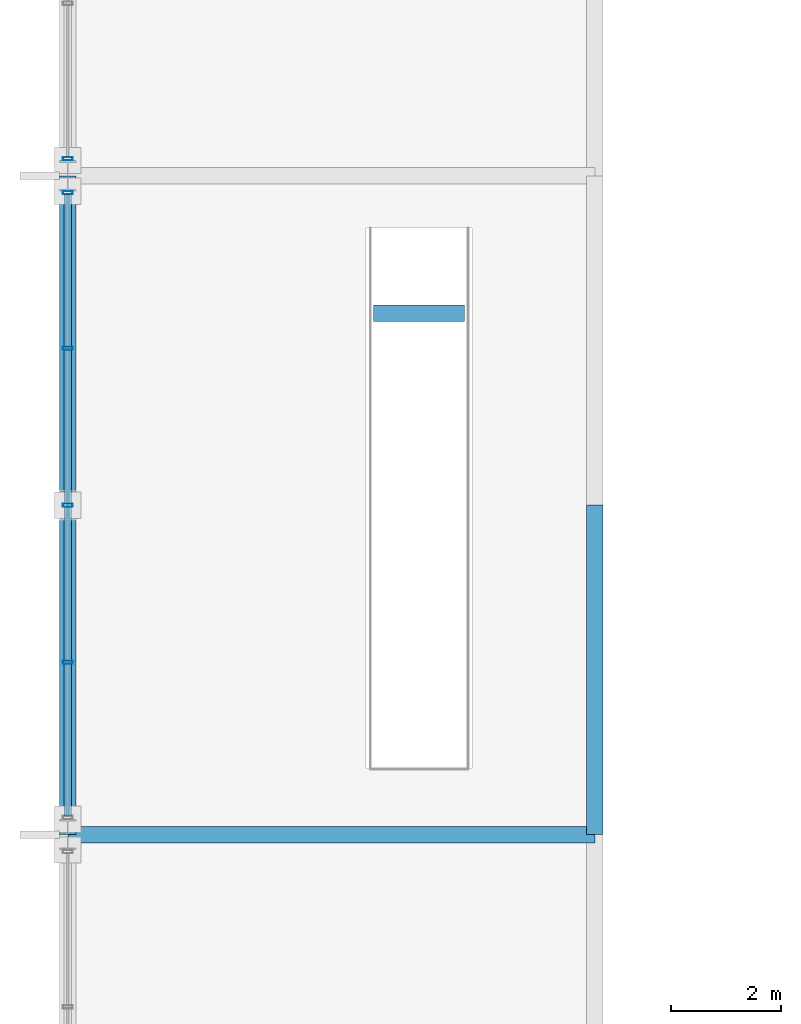
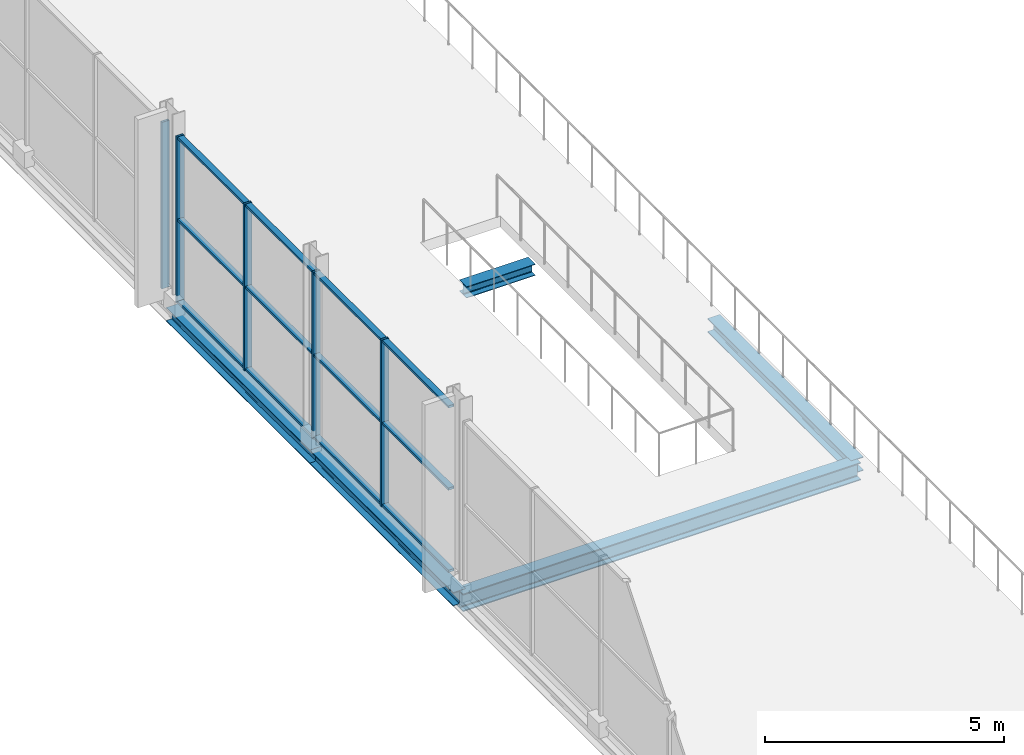
# One storey, part 34 of 159: 17 members, 5 beams, 2 elements without a shape of their own.
"""IFC4 building model written with IfcOpenShell, lengths in metres."""

from ifc_helpers import new_model, si_unit, direction, frame, origin, origin_2d, place, context, subcontext, project, spatial, hollow_rectangle, i_section, extrude, material, material_profile, profile_set, type_object, element, aggregate, save


model = new_model("IFC4")

# Units and contexts
model_context = context("Model", 3, precision=1e-05, world=origin(), true_north=direction((0.0, 1.0)))
body_context = subcontext(model_context, "Body", "Model", "MODEL_VIEW")
ifc_project = project(units=[si_unit("LENGTHUNIT", "METRE"), si_unit("AREAUNIT", "SQUARE_METRE"), si_unit("VOLUMEUNIT", "CUBIC_METRE"), si_unit("PLANEANGLEUNIT", "RADIAN"), si_unit("MASSUNIT", "GRAM", prefix="KILO")], contexts=[model_context])

# Site, building, storey
site_placement = place(None, origin())
site = spatial("IfcSite", under=ifc_project, at=site_placement, CompositionType="ELEMENT")
building_placement = place(site_placement, origin())
building = spatial("IfcBuilding", under=site, at=building_placement, Name="Merenkruunu Market Hall", CompositionType="ELEMENT")
storey_placement = place(building_placement, frame((0.0, 0.0, 5.39990234375)))
storey = spatial("IfcBuildingStorey", under=building, at=storey_placement, Name="L01", CompositionType="ELEMENT", Elevation=5.39990234375)

# Curtain wall, members
ifc_material_1 = material(Name="Powder-coated aluminium", Category="aluminium")
curtain_wall_type = type_object("IfcCurtainWallType", Name="Glazed Curtain Wall CW02", PredefinedType="USERDEFINED", material=ifc_material_1)
curtain_wall_1_placement = place(storey_placement, origin())
curtain_wall_1 = element("IfcCurtainWall", 1, at=curtain_wall_1_placement, inside=storey, type_object=curtain_wall_type, Name="CW-L01-CWM02-008", ObjectType="GLAZED_FACADE", PredefinedType="USERDEFINED")
ifc_material_profile_1 = material_profile(ifc_material_1, hollow_rectangle(XDim=0.06005859375, YDim=0.179931640625, WallThickness=0.00390625, at=origin_2d()), Name="ALU 60x180x4")
ifc_profile_set_1 = profile_set([ifc_material_profile_1], Name="Powder-coated aluminium")
member_type_1 = type_object("IfcMemberType", Name="Curtain Wall Mullion CWM02", PredefinedType="MULLION", material=ifc_profile_set_1)
member_1_placement = place(storey_placement, frame((0.0, 42.739990234375, 0.0), z_axis=(0.0, 0.0, 1.0), x_axis=(0.0, 1.0, 0.0)))
member_1 = element("IfcMember", 2, at=member_1_placement, type_object=member_type_1, Name="CW02 mullion 2", PredefinedType="MULLION", context=body_context, shape_type="SweptSolid", body=[
    extrude(hollow_rectangle(XDim=0.06005859375, YDim=0.179931640625, WallThickness=0.00390625, at=origin_2d()), origin(), (0.0, 0.0, 1.0), 4.25),
])
member_2_placement = place(storey_placement, frame((0.0, 45.60009765625, 0.0), z_axis=(0.0, 0.0, 1.0), x_axis=(0.0, 1.0, 0.0)))
member_2 = element("IfcMember", 3, at=member_2_placement, type_object=member_type_1, Name="CW02 mullion 3", PredefinedType="MULLION", context=body_context, shape_type="SweptSolid", body=[
    extrude(hollow_rectangle(XDim=0.06005859375, YDim=0.179931640625, WallThickness=0.00390625, at=origin_2d()), origin(), (0.0, 0.0, 1.0), 4.25),
])
member_3_placement = place(storey_placement, frame((0.0, 48.4599609375, 0.0), z_axis=(0.0, 0.0, 1.0), x_axis=(0.0, 1.0, 0.0)))
member_3 = element("IfcMember", 4, at=member_3_placement, type_object=member_type_1, Name="CW02 mullion 4", PredefinedType="MULLION", context=body_context, shape_type="SweptSolid", body=[
    extrude(hollow_rectangle(XDim=0.06005859375, YDim=0.179931640625, WallThickness=0.00390625, at=origin_2d()), origin(), (0.0, 0.0, 1.0), 4.25),
])
member_4_placement = place(storey_placement, frame((0.0, 51.2900390625, 0.0), z_axis=(0.0, 0.0, 1.0), x_axis=(0.0, 1.0, 0.0)))
member_4 = element("IfcMember", 5, at=member_4_placement, type_object=member_type_1, Name="CW02 mullion 5", PredefinedType="MULLION", context=body_context, shape_type="SweptSolid", body=[
    extrude(hollow_rectangle(XDim=0.06005859375, YDim=0.179931640625, WallThickness=0.00390625, at=origin_2d()), origin(), (0.0, 0.0, 1.0), 4.25),
])

# Curtain wall, member
curtain_wall_2_placement = place(storey_placement, origin())
curtain_wall_2 = element("IfcCurtainWall", 6, at=curtain_wall_2_placement, inside=storey, type_object=curtain_wall_type, Name="CW-L01-CWM02-011", ObjectType="GLAZED_FACADE", PredefinedType="USERDEFINED")
member_5_placement = place(storey_placement, frame((0.0, 51.909912109375, 0.0), z_axis=(0.0, 0.0, 1.0), x_axis=(0.0, 1.0, 0.0)))
member_5 = element("IfcMember", 7, at=member_5_placement, type_object=member_type_1, Name="CW02 mullion 1", PredefinedType="MULLION", context=body_context, shape_type="SweptSolid", body=[
    extrude(hollow_rectangle(XDim=0.06005859375, YDim=0.179931640625, WallThickness=0.00390625, at=origin_2d()), origin(), (0.0, 0.0, 1.0), 4.25),
])
aggregate(curtain_wall_2, [member_5])

# Member
ifc_material_profile_2 = material_profile(ifc_material_1, hollow_rectangle(XDim=0.06005859375, YDim=0.139892578125, WallThickness=0.00390625, at=origin_2d()), Name="ALU 60x140x4")
ifc_profile_set_2 = profile_set([ifc_material_profile_2], Name="Powder-coated aluminium")
member_type_2 = type_object("IfcMemberType", Name="Curtain Wall Transom CWT02", PredefinedType="USERDEFINED", material=ifc_profile_set_2)
member_6_placement = place(storey_placement, frame((0.0, 39.93994140625, 0.030029296875), z_axis=(0.0, 1.0, 0.0), x_axis=(0.0, 0.0, 1.0)))
member_6 = element("IfcMember", 8, at=member_6_placement, type_object=member_type_2, Name="CW02 transom 1.1", ObjectType="TRANSOM", PredefinedType="USERDEFINED", context=body_context, shape_type="SweptSolid", body=[
    extrude(hollow_rectangle(XDim=0.06005859375, YDim=0.139892578125, WallThickness=0.00390625, at=origin_2d()), origin(), (0.0, 0.0, 1.0), 2.77001953125),
])

member_7_placement = place(storey_placement, frame((0.0, 39.93994140625, 2.125), z_axis=(0.0, 1.0, 0.0), x_axis=(0.0, 0.0, 1.0)))
member_7 = element("IfcMember", 9, at=member_7_placement, type_object=member_type_2, Name="CW02 transom 1.2", ObjectType="TRANSOM", PredefinedType="USERDEFINED", context=body_context, shape_type="SweptSolid", body=[
    extrude(hollow_rectangle(XDim=0.06005859375, YDim=0.139892578125, WallThickness=0.00390625, at=origin_2d()), origin(), (0.0, 0.0, 1.0), 2.77001953125),
])

member_8_placement = place(storey_placement, frame((0.0, 39.93994140625, 4.22021484375), z_axis=(0.0, 1.0, 0.0), x_axis=(0.0, 0.0, 1.0)))
member_8 = element("IfcMember", 10, at=member_8_placement, type_object=member_type_2, Name="CW02 transom 1.3", ObjectType="TRANSOM", PredefinedType="USERDEFINED", context=body_context, shape_type="SweptSolid", body=[
    extrude(hollow_rectangle(XDim=0.06005859375, YDim=0.139892578125, WallThickness=0.00390625, at=origin_2d()), origin(), (0.0, 0.0, 1.0), 2.77001953125),
])

member_9_placement = place(storey_placement, frame((0.0, 42.77001953125, 0.030029296875), z_axis=(0.0, 1.0, 0.0), x_axis=(0.0, 0.0, 1.0)))
member_9 = element("IfcMember", 11, at=member_9_placement, type_object=member_type_2, Name="CW02 transom 2.1", ObjectType="TRANSOM", PredefinedType="USERDEFINED", context=body_context, shape_type="SweptSolid", body=[
    extrude(hollow_rectangle(XDim=0.06005859375, YDim=0.139892578125, WallThickness=0.00390625, at=origin_2d()), origin(), (0.0, 0.0, 1.0), 2.800048828125),
])

member_10_placement = place(storey_placement, frame((0.0, 42.77001953125, 2.125), z_axis=(0.0, 1.0, 0.0), x_axis=(0.0, 0.0, 1.0)))
member_10 = element("IfcMember", 12, at=member_10_placement, type_object=member_type_2, Name="CW02 transom 2.2", ObjectType="TRANSOM", PredefinedType="USERDEFINED", context=body_context, shape_type="SweptSolid", body=[
    extrude(hollow_rectangle(XDim=0.06005859375, YDim=0.139892578125, WallThickness=0.00390625, at=origin_2d()), origin(), (0.0, 0.0, 1.0), 2.800048828125),
])

member_11_placement = place(storey_placement, frame((0.0, 42.77001953125, 4.22021484375), z_axis=(0.0, 1.0, 0.0), x_axis=(0.0, 0.0, 1.0)))
member_11 = element("IfcMember", 13, at=member_11_placement, type_object=member_type_2, Name="CW02 transom 2.3", ObjectType="TRANSOM", PredefinedType="USERDEFINED", context=body_context, shape_type="SweptSolid", body=[
    extrude(hollow_rectangle(XDim=0.06005859375, YDim=0.139892578125, WallThickness=0.00390625, at=origin_2d()), origin(), (0.0, 0.0, 1.0), 2.800048828125),
])

member_12_placement = place(storey_placement, frame((0.0, 45.6298828125, 0.030029296875), z_axis=(0.0, 1.0, 0.0), x_axis=(0.0, 0.0, 1.0)))
member_12 = element("IfcMember", 14, at=member_12_placement, type_object=member_type_2, Name="CW02 transom 3.1", ObjectType="TRANSOM", PredefinedType="USERDEFINED", context=body_context, shape_type="SweptSolid", body=[
    extrude(hollow_rectangle(XDim=0.06005859375, YDim=0.139892578125, WallThickness=0.00390625, at=origin_2d()), origin(), (0.0, 0.0, 1.0), 2.800048828125),
])

member_13_placement = place(storey_placement, frame((0.0, 45.6298828125, 2.125), z_axis=(0.0, 1.0, 0.0), x_axis=(0.0, 0.0, 1.0)))
member_13 = element("IfcMember", 15, at=member_13_placement, type_object=member_type_2, Name="CW02 transom 3.2", ObjectType="TRANSOM", PredefinedType="USERDEFINED", context=body_context, shape_type="SweptSolid", body=[
    extrude(hollow_rectangle(XDim=0.06005859375, YDim=0.139892578125, WallThickness=0.00390625, at=origin_2d()), origin(), (0.0, 0.0, 1.0), 2.800048828125),
])

member_14_placement = place(storey_placement, frame((0.0, 45.6298828125, 4.22021484375), z_axis=(0.0, 1.0, 0.0), x_axis=(0.0, 0.0, 1.0)))
member_14 = element("IfcMember", 16, at=member_14_placement, type_object=member_type_2, Name="CW02 transom 3.3", ObjectType="TRANSOM", PredefinedType="USERDEFINED", context=body_context, shape_type="SweptSolid", body=[
    extrude(hollow_rectangle(XDim=0.06005859375, YDim=0.139892578125, WallThickness=0.00390625, at=origin_2d()), origin(), (0.0, 0.0, 1.0), 2.800048828125),
])

member_15_placement = place(storey_placement, frame((0.0, 48.489990234375, 0.030029296875), z_axis=(0.0, 1.0, 0.0), x_axis=(0.0, 0.0, 1.0)))
member_15 = element("IfcMember", 17, at=member_15_placement, type_object=member_type_2, Name="CW02 transom 4.1", ObjectType="TRANSOM", PredefinedType="USERDEFINED", context=body_context, shape_type="SweptSolid", body=[
    extrude(hollow_rectangle(XDim=0.06005859375, YDim=0.139892578125, WallThickness=0.00390625, at=origin_2d()), origin(), (0.0, 0.0, 1.0), 2.77001953125),
])

member_16_placement = place(storey_placement, frame((0.0, 48.489990234375, 2.125), z_axis=(0.0, 1.0, 0.0), x_axis=(0.0, 0.0, 1.0)))
member_16 = element("IfcMember", 18, at=member_16_placement, type_object=member_type_2, Name="CW02 transom 4.2", ObjectType="TRANSOM", PredefinedType="USERDEFINED", context=body_context, shape_type="SweptSolid", body=[
    extrude(hollow_rectangle(XDim=0.06005859375, YDim=0.139892578125, WallThickness=0.00390625, at=origin_2d()), origin(), (0.0, 0.0, 1.0), 2.77001953125),
])

member_17_placement = place(storey_placement, frame((0.0, 48.489990234375, 4.22021484375), z_axis=(0.0, 1.0, 0.0), x_axis=(0.0, 0.0, 1.0)))
member_17 = element("IfcMember", 19, at=member_17_placement, type_object=member_type_2, Name="CW02 transom 4.3", ObjectType="TRANSOM", PredefinedType="USERDEFINED", context=body_context, shape_type="SweptSolid", body=[
    extrude(hollow_rectangle(XDim=0.06005859375, YDim=0.139892578125, WallThickness=0.00390625, at=origin_2d()), origin(), (0.0, 0.0, 1.0), 2.77001953125),
])

aggregate(curtain_wall_1, [member_1, member_2, member_3, member_4, member_6, member_7, member_8, member_9, member_10, member_11, member_12, member_13, member_14, member_15, member_16, member_17])

# Beams
ifc_material_2 = material(Name="Steel S355J2", Category="steel")
ifc_material_profile_3 = material_profile(ifc_material_2, i_section(OverallWidth=0.300048828125, OverallDepth=0.449951171875, WebThickness=0.013916015625, FlangeThickness=0.02587890625, FilletRadius=0.027099609375, at=origin_2d()), Name="HEB 450")
ifc_profile_set_3 = profile_set([ifc_material_profile_3], Name="Steel S355J2")
beam_type_1 = type_object("IfcBeamType", Name="Primary Floor Girder B03", PredefinedType="BEAM", material=ifc_profile_set_3)
beam_1_placement = place(storey_placement, frame((0.0, 39.60009765625, -0.5048828125), z_axis=(1.0, 0.0, 0.0), x_axis=(0.0, 1.0, 0.0)))
element("IfcBeam", 20, at=beam_1_placement, inside=storey, type_object=beam_type_1, Name="BM-L01-B03-0494", PredefinedType="BEAM", context=body_context, shape_type="SweptSolid", body=[
    extrude(i_section(OverallWidth=0.300048828125, OverallDepth=0.449951171875, WebThickness=0.013916015625, FlangeThickness=0.02587890625, FilletRadius=0.027099609375, at=origin_2d()), origin(), (0.0, 0.0, 1.0), 9.60009765625),
])
ifc_material_profile_4 = material_profile(ifc_material_2, i_section(OverallWidth=0.300048828125, OverallDepth=0.35009765625, WebThickness=0.010009765625, FlangeThickness=0.017578125, FilletRadius=0.027099609375, at=origin_2d()), Name="HEA 360")
ifc_profile_set_4 = profile_set([ifc_material_profile_4], Name="Steel S355J2")
beam_type_2 = type_object("IfcBeamType", Name="Primary Floor Girder B08", PredefinedType="BEAM", material=ifc_profile_set_4)
for number, where, z_axis, x_axis, name in (
    (21, (0.0, 39.60009765625, -0.454833984375), (0.0, 1.0, 0.0), (-1.0, 0.0, 0.0), "BM-L01-B08-0553"),
    (22, (0.0, 45.60009765625, -0.454833984375), (0.0, 1.0, 0.0), (-1.0, 0.0, 0.0), "BM-L01-B08-0554"),
    (23, (9.60009765625, 39.60009765625, -0.454833984375), (0.0, 1.0, 0.0), (-1.0, 0.0, 0.0), "BM-L01-B08-0561"),
):
    element("IfcBeam", number, at=place(storey_placement, frame(where, z_axis=z_axis, x_axis=x_axis)), inside=storey, type_object=beam_type_2, Name=name, PredefinedType="BEAM", context=body_context, shape_type="SweptSolid", body=[
        extrude(i_section(OverallWidth=0.300048828125, OverallDepth=0.35009765625, WebThickness=0.010009765625, FlangeThickness=0.017578125, FilletRadius=0.027099609375, at=origin_2d()), origin(), (0.0, 0.0, 1.0), 6.0),
    ])
ifc_material_profile_5 = material_profile(ifc_material_2, i_section(OverallWidth=0.300048828125, OverallDepth=0.2900390625, WebThickness=0.008544921875, FlangeThickness=0.013916015625, FilletRadius=0.027099609375, at=origin_2d()), Name="HEA 300")
ifc_profile_set_5 = profile_set([ifc_material_profile_5], Name="Steel S355J2")
beam_type_3 = type_object("IfcBeamType", Name="Primary Floor Girder B09", PredefinedType="BEAM", material=ifc_profile_set_5)
beam_2_placement = place(storey_placement, frame((5.570068359375, 49.10009765625, -0.294921875), z_axis=(1.0, 0.0, 0.0), x_axis=(0.0, 1.0, 0.0)))
element("IfcBeam", 24, at=beam_2_placement, inside=storey, type_object=beam_type_3, Name="BM-FST-TRIM-2", PredefinedType="BEAM", context=body_context, shape_type="SweptSolid", body=[
    extrude(i_section(OverallWidth=0.300048828125, OverallDepth=0.2900390625, WebThickness=0.008544921875, FlangeThickness=0.013916015625, FilletRadius=0.027099609375, at=origin_2d()), origin(), (0.0, 0.0, 1.0), 1.659912109375),
])

save(model, "model.ifc")
